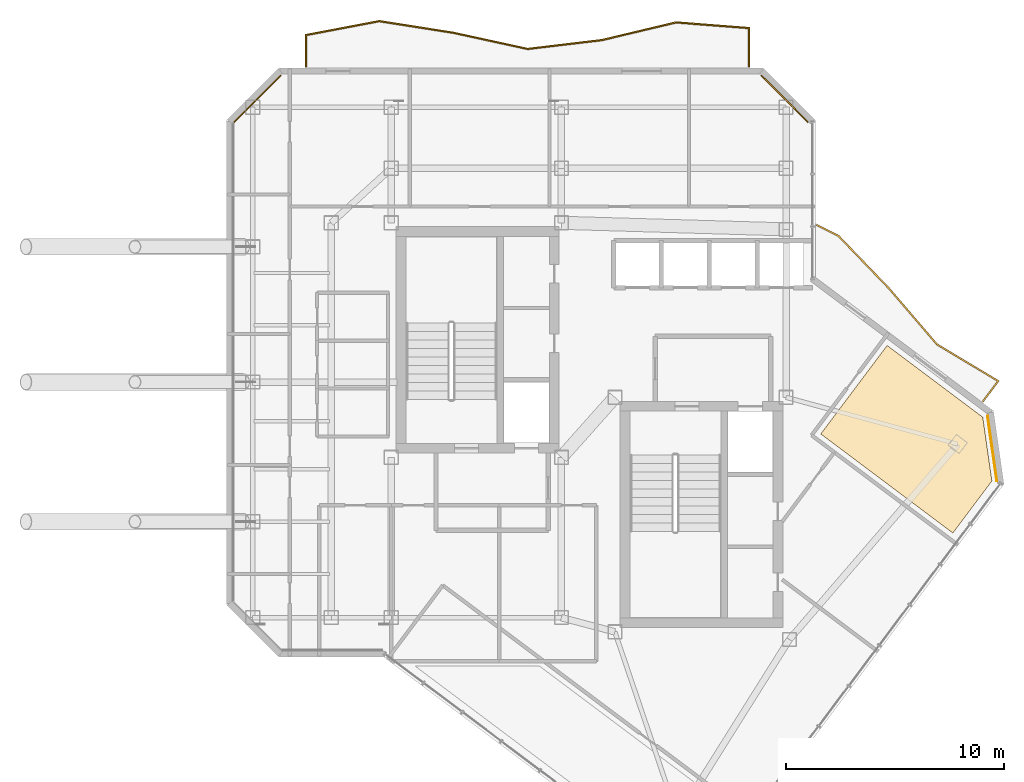
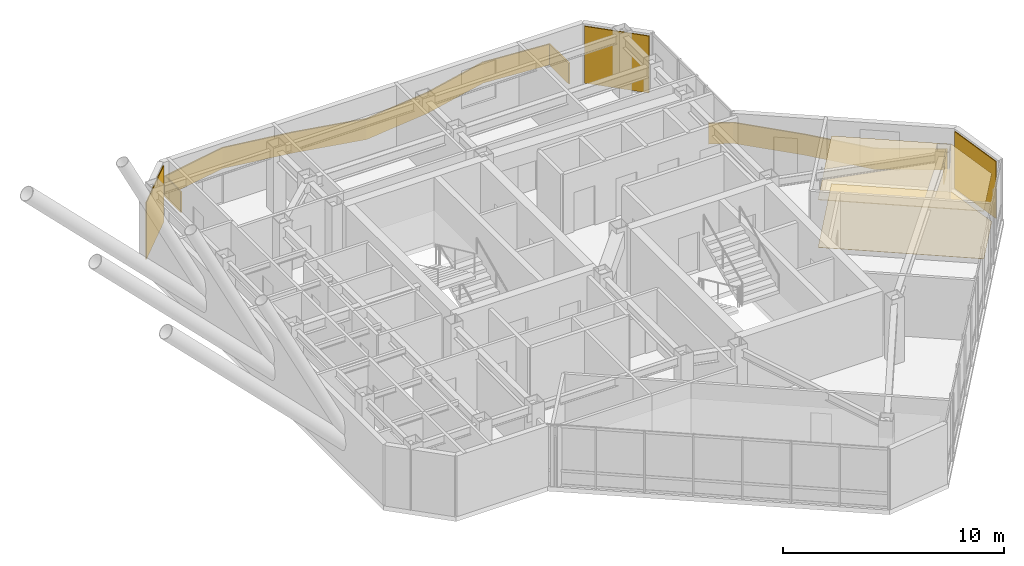
# One storey, part 21 of 21: 5 coverings, 2 railings.
"""IFC4 building model written with IfcOpenShell, lengths in metres."""

from ifc_helpers import new_model, si_unit, direction, frame, origin, origin_2d, place, context, subcontext, project, spatial, polyline, rectangle, outline, extrude, material, layer, layer_set, type_object, element, save


model = new_model("IFC4")

# Units and contexts
model_context = context("Model", 3, precision=1e-05, world=origin(), true_north=direction((0.0, 1.0)))
body_context = subcontext(model_context, "Body", "Model", "MODEL_VIEW")
ifc_project = project(units=[si_unit("LENGTHUNIT", "METRE"), si_unit("AREAUNIT", "SQUARE_METRE"), si_unit("VOLUMEUNIT", "CUBIC_METRE"), si_unit("PLANEANGLEUNIT", "RADIAN"), si_unit("MASSUNIT", "GRAM", prefix="KILO")], contexts=[model_context])

# Site, building, storey
site_placement = place(None, origin())
site = spatial("IfcSite", under=ifc_project, at=site_placement, CompositionType="ELEMENT")
building_placement = place(site_placement, origin())
building = spatial("IfcBuilding", under=site, at=building_placement, Name="Hatsunagi Terrace Concourse", CompositionType="ELEMENT")
storey_placement = place(building_placement, frame((0.0, 0.0, 246.75)))
storey = spatial("IfcBuildingStorey", under=building, at=storey_placement, Name="L65", CompositionType="ELEMENT", Elevation=246.75)

# Railings
ifc_material_1 = material(Name="Laminated Glass and Stainless Steel Guard", Category="steel")
ifc_layer_1 = layer(ifc_material_1, 0.070068359375)
ifc_layer_set_1 = layer_set([ifc_layer_1], Name="BalconyGlassGuardRail_1150")
railing_type = type_object("IfcRailingType", Name="BalconyGlassGuardRail_1150", PredefinedType="BALUSTRADE", material=ifc_layer_set_1)
railing_1_placement = place(storey_placement, origin())
element("IfcRailing", 1, at=railing_1_placement, inside=storey, type_object=railing_type, Name="Engawa Balcony Guard GRD-01 L65-BN-1", PredefinedType="BALUSTRADE", context=body_context, shape_type="SweptSolid", body=[
    extrude(outline(polyline([(21.614990234375, 50.449951171875), (21.68505859375, 50.449951171875), (21.68505859375, 51.8798828125), (25.001708984375, 52.511474609375), (28.384521484375, 51.9794921875), (31.79638671875, 51.235595703125), (35.215087890625, 51.64453125), (38.606689453125, 52.45361328125), (41.9150390625, 52.196533203125), (41.9150390625, 50.449951171875), (41.985107421875, 50.449951171875), (41.985107421875, 52.261474609375), (38.601318359375, 52.5244140625), (35.202880859375, 51.71337890625), (31.7998046875, 51.306396484375), (28.3974609375, 52.04833984375), (25.00048828125, 52.58251953125), (21.614990234375, 51.93798828125), (21.614990234375, 50.449951171875)])), origin(), (0.0, 0.0, 1.0), 1.14990234375),
])
railing_2_placement = place(storey_placement, origin())
element("IfcRailing", 2, at=railing_2_placement, inside=storey, type_object=railing_type, Name="Engawa Balcony Guard GRD-01 L65-BSE-1", PredefinedType="BALUSTRADE", context=body_context, shape_type="SweptSolid", body=[
    extrude(outline(polyline([(45.061767578125, 43.2353515625), (45.0302734375, 43.172607421875), (46.02880859375, 42.67041015625), (48.335205078125, 40.2724609375), (50.5419921875, 37.697998046875), (53.32080078125, 36.035888671875), (52.64208984375, 35.131103515625), (52.697998046875, 35.089111328125), (53.42333984375, 36.05615234375), (50.587890625, 37.752197265625), (48.386962890625, 40.319580078125), (46.071044921875, 42.7275390625), (45.061767578125, 43.2353515625)])), origin(), (0.0, 0.0, 1.0), 1.14990234375),
])

# Coverings
ifc_material_2 = material(Name="Hardwood timber", Category="wood")
ifc_layer_2 = layer(ifc_material_2, 0.014892578125)
ifc_layer_set_2 = layer_set([ifc_layer_2], Name="HardwoodTimberFlooring_15")
covering_type_1 = type_object("IfcCoveringType", Name="HardwoodTimberFlooring_15", PredefinedType="FLOORING", material=ifc_layer_set_2)
covering_1_placement = place(storey_placement, origin())
element("IfcCovering", 3, at=covering_1_placement, inside=storey, type_object=covering_type_1, Name="Finished Flooring L65-2", PredefinedType="FLOORING", context=body_context, shape_type="SweptSolid", body=[
    extrude(outline(polyline([(52.666015625, 34.387939453125), (48.281982421875, 37.676025390625), (45.239990234375, 33.6201171875), (51.2958984375, 29.077880859375), (53.083984375, 31.4619140625), (52.666015625, 34.387939453125)])), origin(), (0.0, 0.0, 1.0), 0.014892578125),
])
ifc_material_3 = material(Name="Unglazed Warm Terracotta Rainscreen Tile", Category="masonry")
ifc_layer_3 = layer(ifc_material_3, 0.044921875)
ifc_layer_set_3 = layer_set([ifc_layer_3], Name="TerracottaRainscreenCladding_45")
covering_type_2 = type_object("IfcCoveringType", Name="TerracottaRainscreenCladding_45", PredefinedType="CLADDING", material=ifc_layer_set_3)
for number, where, z_axis, x_axis, name in (
    (4, (53.10107421875, 32.9580078125, 0.10009765625), (0.0, 0.0, 1.0), (0.141250262458, -0.989973920543, 0.0), "Terracotta Rainscreen Cladding L65-02"),
    (5, (19.4140625, 48.986083984375, 0.10009765625), (0.0, 0.0, 1.0), (0.707106781187, 0.707106781187, 0.0), "Terracotta Rainscreen Cladding L65-09"),
    (6, (43.5859375, 48.986083984375, 0.10009765625), (0.0, 0.0, 1.0), (0.707106781187, -0.707106781187, 0.0), "Terracotta Rainscreen Cladding L65-11"),
):
    element("IfcCovering", number, at=place(storey_placement, frame(where, z_axis=z_axis, x_axis=x_axis)), inside=storey, type_object=covering_type_2, Name=name, PredefinedType="CLADDING", context=body_context, shape_type="SweptSolid", body=[
        extrude(rectangle(XDim=3.0380859375, YDim=0.044921875, at=origin_2d()), origin(), (0.0, 0.0, 1.0), 3.14990234375),
    ])
ifc_material_4 = material(Name="Hardwood timber", Category="wood")
ifc_layer_4 = layer(ifc_material_4, 0.034912109375)
ifc_layer_set_4 = layer_set([ifc_layer_4], Name="TimberBaffleCeiling_35")
covering_type_3 = type_object("IfcCoveringType", Name="TimberBaffleCeiling_35", PredefinedType="CEILING", material=ifc_layer_set_4)
covering_2_placement = place(storey_placement, frame((0.0, 0.0, 2.6298828125)))
element("IfcCovering", 7, at=covering_2_placement, inside=storey, type_object=covering_type_3, Name="Suspended Ceiling L65-2", PredefinedType="CEILING", context=body_context, shape_type="SweptSolid", body=[
    extrude(outline(polyline([(52.666015625, 34.387939453125), (48.281982421875, 37.676025390625), (45.239990234375, 33.6201171875), (51.2958984375, 29.077880859375), (53.083984375, 31.4619140625), (52.666015625, 34.387939453125)])), origin(), (0.0, 0.0, 1.0), 0.03515625),
])

save(model, "model.ifc")
